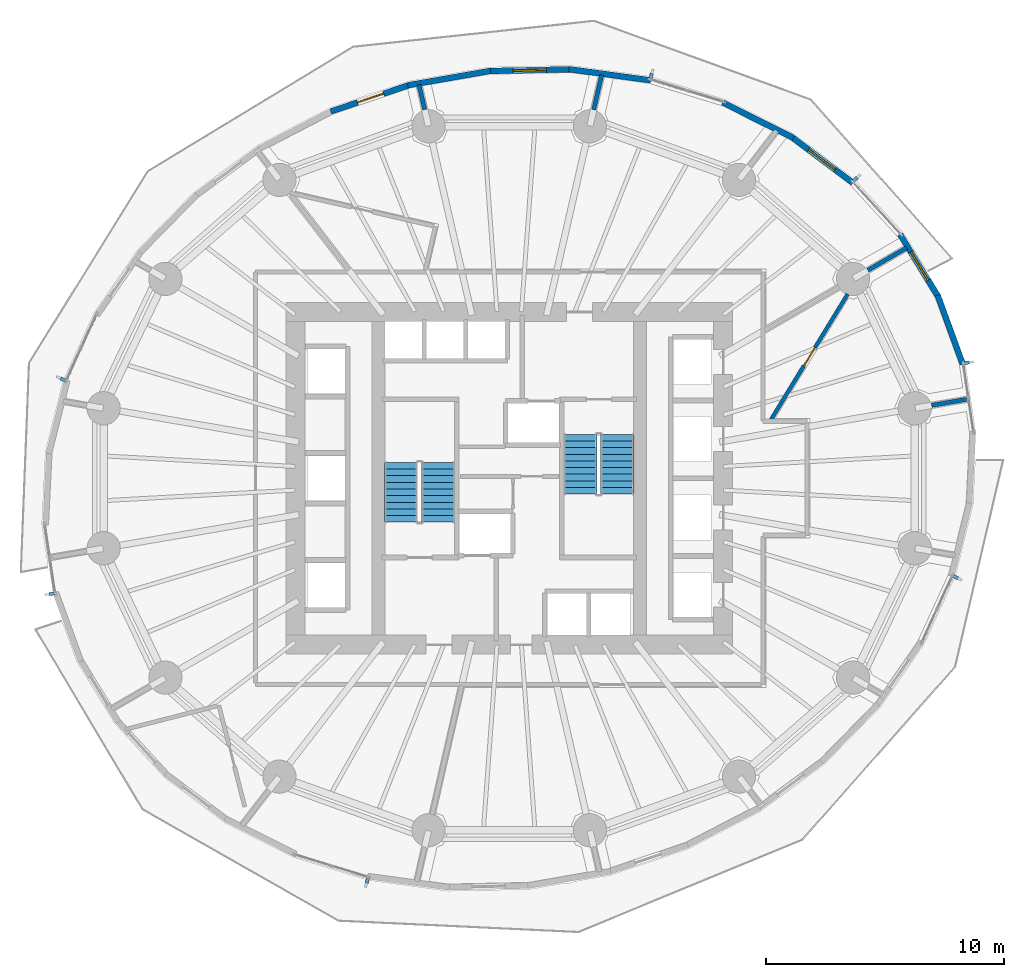
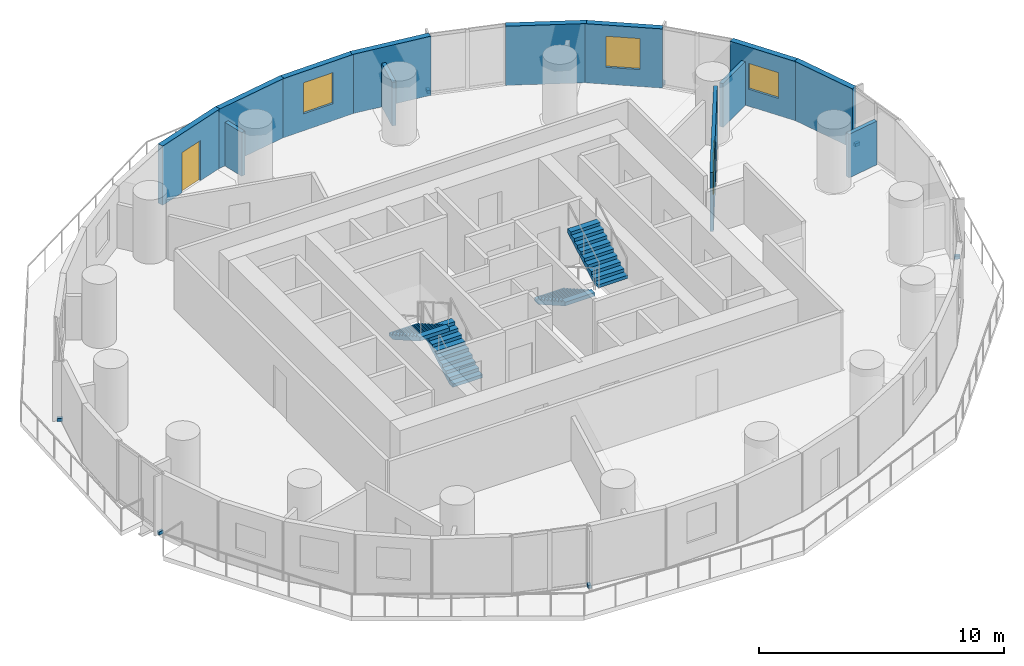
# One storey, part 9 of 13: 13 walls, 7 discrete accessories, 4 stair flights, 3 windows, 2 doors, 5 openings, 2 elements without a shape of their own.
"""IFC4 building model written with IfcOpenShell, lengths in metres."""

from ifc_helpers import new_model, si_unit, direction, frame, frame_2d, origin, origin_2d, place, context, subcontext, project, spatial, polyline, rectangle, outline, extrude, material, layer, layer_set, type_object, element, fill, aggregate, save


model = new_model("IFC4")

# Units and contexts
model_context = context("Model", 3, precision=1e-05, world=origin(), true_north=direction((0.0, 1.0)))
body_context = subcontext(model_context, "Body", "Model", "MODEL_VIEW")
ifc_project = project(units=[si_unit("LENGTHUNIT", "METRE"), si_unit("AREAUNIT", "SQUARE_METRE"), si_unit("VOLUMEUNIT", "CUBIC_METRE"), si_unit("PLANEANGLEUNIT", "RADIAN"), si_unit("MASSUNIT", "GRAM", prefix="KILO")], contexts=[model_context])

# Site, building, storey
site_placement = place(None, origin())
site = spatial("IfcSite", under=ifc_project, at=site_placement, CompositionType="ELEMENT")
building_placement = place(site_placement, origin())
building = spatial("IfcBuilding", under=site, at=building_placement, Name="Veldorim Arch Residences", CompositionType="ELEMENT")
storey_placement = place(building_placement, frame((0.0, 0.0, 60.0)))
storey = spatial("IfcBuildingStorey", under=building, at=storey_placement, Name="L17", CompositionType="ELEMENT", Elevation=60.0)

# Walls
ifc_material_1 = material(Name="Lightweight Masonry Block & Gypsum", Category="masonry")
ifc_layer_1 = layer(ifc_material_1, 0.179931640625, Name="Compartment & Corridor Fire-Rated Party Wall 180")
ifc_layer_set_1 = layer_set([ifc_layer_1], Name="Lightweight Masonry Block & Gypsum")
wall_type_1 = type_object("IfcWallType", Name="Compartment & Corridor Fire-Rated Party Wall 180", PredefinedType="PARTITIONING", material=ifc_layer_set_1)
wall_1_placement = place(storey_placement, frame((49.775146484375, 27.068359375, 0.0), z_axis=(0.0, 0.0, 1.0), x_axis=(0.985427868046, 0.170093847267, 0.0)))
element("IfcWall", 1, at=wall_1_placement, inside=storey, type_object=wall_type_1, Name="L17 interior wall WL-PIER-L17-01", PredefinedType="PARTITIONING", context=body_context, shape_type="SweptSolid", body=[
    extrude(rectangle(XDim=1.487060546875, YDim=0.179931640625, at=frame_2d((0.74365234375, 0.0))), origin(), (0.0, 0.0, 1.0), 2.17822265625),
])
wall_2_placement = place(storey_placement, frame((47.090576171875, 32.750244140625, 0.0), z_axis=(0.0, 0.0, 1.0), x_axis=(0.865028951922, 0.501721947234, 0.0)))
element("IfcWall", 2, at=wall_2_placement, inside=storey, type_object=wall_type_1, Name="L17 interior wall WL-PIER-L17-02", PredefinedType="PARTITIONING", context=body_context, shape_type="SweptSolid", body=[
    extrude(rectangle(XDim=1.894287109375, YDim=0.179931640625, at=frame_2d((0.947265625, 0.0))), origin(), (0.0, 0.0, 1.0), 2.17822265625),
])
wall_3_placement = place(storey_placement, frame((35.555419921875, 39.51171875, 0.0), z_axis=(0.0, 0.0, 1.0), x_axis=(0.223479327284, 0.974708669438, 0.0)))
element("IfcWall", 3, at=wall_3_placement, inside=storey, type_object=wall_type_1, Name="L17 interior wall WL-PIER-L17-04", PredefinedType="PARTITIONING", context=body_context, shape_type="SweptSolid", body=[
    extrude(rectangle(XDim=1.498779296875, YDim=0.179931640625, at=frame_2d((0.74951171875, 0.0))), origin(), (0.0, 0.0, 1.0), 2.17822265625),
])
wall_4_placement = place(storey_placement, frame((28.444580078125, 39.51171875, 0.0), z_axis=(0.0, 0.0, 1.0), x_axis=(-0.2234388258, 0.974717954654, 0.0)))
element("IfcWall", 4, at=wall_4_placement, inside=storey, type_object=wall_type_1, Name="L17 interior wall WL-PIER-L17-05", PredefinedType="PARTITIONING", context=body_context, shape_type="SweptSolid", body=[
    extrude(rectangle(XDim=1.07958984375, YDim=0.179931640625, at=frame_2d((0.539794921875, 0.0))), origin(), (0.0, 0.0, 1.0), 2.17822265625),
])
ifc_material_2 = material(Name="Precast concrete C40/50", Category="concrete")
ifc_layer_2 = layer(ifc_material_2, 0.25, Name="Tower Terracotta Spandrel & Pier Wall 250")
ifc_layer_set_2 = layer_set([ifc_layer_2], Name="Precast concrete C40/50")
wall_type_2 = type_object("IfcWallType", Name="Tower Terracotta Spandrel & Pier Wall 250", PredefinedType="SOLIDWALL", material=ifc_layer_set_2)
wall_5_placement = place(storey_placement, frame((50.027099609375, 31.70361328125, 0.0), z_axis=(0.0, 0.0, 1.0), x_axis=(0.342541792275, -0.939502592091, 0.0)))
element("IfcWall", 5, at=wall_5_placement, inside=storey, type_object=wall_type_2, Name="L17 terracotta facade wall 01", PredefinedType="SOLIDWALL", context=body_context, shape_type="SweptSolid", body=[
    extrude(rectangle(XDim=3.091796875, YDim=0.25, at=frame_2d((1.5458984375, 0.0))), origin(), (0.0, 0.0, 1.0), 2.9599609375),
])

# Wall, opening, window
wall_6_placement = place(storey_placement, frame((48.449951171875, 34.263427734375, 0.0), z_axis=(0.0, 0.0, 1.0), x_axis=(0.521370891217, -0.853330178648, 0.0)))
wall_6 = element("IfcWall", 6, at=wall_6_placement, inside=storey, type_object=wall_type_2, Name="L17 terracotta facade wall 02", PredefinedType="SOLIDWALL", context=body_context, shape_type="SweptSolid", body=[
    extrude(rectangle(XDim=3.12060546875, YDim=0.25, at=frame_2d((1.560302734375, 0.0))), origin(), (0.0, 0.0, 1.0), 2.9599609375),
])
opening_1_placement = place(wall_6_placement, frame((0.860107421875, 0.0, 0.85009765625)))
opening_1 = element("IfcOpeningElement", 7, at=opening_1_placement, cuts=wall_6, Name="Opening WN-02", PredefinedType="OPENING", context=body_context, shape_type="SweptSolid", body=[
    extrude(rectangle(XDim=1.39990234375, YDim=1.2900390625, at=frame_2d((0.699951171875, 0.64501953125))), frame((0.0, 0.135009765625, 0.0), z_axis=(0.0, -1.0, 0.0), x_axis=(1.0, 0.0, 0.0)), (0.0, 0.0, 1.0), 0.27001953125),
])
ifc_material_3 = material(Name="Laminated Low-E Glass", Category="glass")
window_type = type_object("IfcWindowType", Name="Residential Casement Window 1400x1550", PartitioningType="SINGLE_PANEL", PredefinedType="WINDOW", material=ifc_material_3)
window_1_placement = place(opening_1_placement, origin())
window_1 = element("IfcWindow", 8, at=window_1_placement, inside=storey, type_object=window_type, Name="L17 solar-control facade window 02", OverallHeight=1.2900390625, OverallWidth=1.39990234375, PartitioningType="SINGLE_PANEL", PredefinedType="WINDOW", context=body_context, shape_type="SweptSolid", body=[
    extrude(rectangle(XDim=1.39990234375, YDim=1.2900390625, at=frame_2d((0.699951171875, 0.64501953125))), frame((0.0, 0.030029296875, 0.0), z_axis=(0.0, -1.0, 0.0), x_axis=(1.0, 0.0, 0.0)), (0.0, 0.0, 1.0), 0.06005859375),
])
fill(opening_1, window_1)

wall_7_placement = place(storey_placement, frame((43.861083984375, 38.382568359375, 0.0), z_axis=(0.0, 0.0, 1.0), x_axis=(0.800198613696, -0.599735090385, 0.0)))
wall_7 = element("IfcWall", 9, at=wall_7_placement, inside=storey, type_object=wall_type_2, Name="L17 terracotta facade wall 04", PredefinedType="SOLIDWALL", context=body_context, shape_type="SweptSolid", body=[
    extrude(rectangle(XDim=3.244384765625, YDim=0.25, at=frame_2d((1.6220703125, 0.0))), origin(), (0.0, 0.0, 1.0), 2.9599609375),
])
opening_2_placement = place(wall_7_placement, frame((0.922119140625, 0.0, 0.85009765625)))
opening_2 = element("IfcOpeningElement", 10, at=opening_2_placement, cuts=wall_7, Name="Opening WN-02", PredefinedType="OPENING", context=body_context, shape_type="SweptSolid", body=[
    extrude(rectangle(XDim=1.39990234375, YDim=1.550048828125, at=frame_2d((0.699951171875, 0.77490234375))), frame((0.0, 0.135009765625, 0.0), z_axis=(0.0, -1.0, 0.0), x_axis=(1.0, 0.0, 0.0)), (0.0, 0.0, 1.0), 0.27001953125),
])
window_2_placement = place(opening_2_placement, origin())
window_2 = element("IfcWindow", 11, at=window_2_placement, inside=storey, type_object=window_type, Name="L17 solar-control facade window 04", OverallHeight=1.550048828125, OverallWidth=1.39990234375, PartitioningType="SINGLE_PANEL", PredefinedType="WINDOW", context=body_context, shape_type="SweptSolid", body=[
    extrude(rectangle(XDim=1.39990234375, YDim=1.550048828125, at=frame_2d((0.699951171875, 0.77490234375))), frame((0.0, 0.030029296875, 0.0), z_axis=(0.0, -1.0, 0.0), x_axis=(1.0, 0.0, 0.0)), (0.0, 0.0, 1.0), 0.06005859375),
])
fill(opening_2, window_2)

# Walls
wall_8_placement = place(storey_placement, frame((40.987548828125, 39.81689453125, 0.0), z_axis=(0.0, 0.0, 1.0), x_axis=(0.893351919744, -0.449357705498, 0.0)))
element("IfcWall", 12, at=wall_8_placement, inside=storey, type_object=wall_type_2, Name="L17 terracotta facade wall 05", PredefinedType="SOLIDWALL", context=body_context, shape_type="SweptSolid", body=[
    extrude(rectangle(XDim=3.322998046875, YDim=0.25, at=frame_2d((1.66162109375, 0.0))), origin(), (0.0, 0.0, 1.0), 2.9599609375),
])
wall_9_placement = place(storey_placement, frame((34.514404296875, 41.2158203125, 0.0), z_axis=(0.0, 0.0, 1.0), x_axis=(0.99081644242, -0.13521382115, 0.0)))
element("IfcWall", 13, at=wall_9_placement, inside=storey, type_object=wall_type_2, Name="L17 terracotta facade wall 07", PredefinedType="SOLIDWALL", context=body_context, shape_type="SweptSolid", body=[
    extrude(rectangle(XDim=3.46484375, YDim=0.25, at=frame_2d((1.732421875, 0.0))), origin(), (0.0, 0.0, 1.0), 2.9599609375),
])

# Wall, opening, window
wall_10_placement = place(storey_placement, frame((31.111572265625, 41.137451171875, 0.0), z_axis=(0.0, 0.0, 1.0), x_axis=(0.999788360949, 0.020572635025, 0.0)))
wall_10 = element("IfcWall", 14, at=wall_10_placement, inside=storey, type_object=wall_type_2, Name="L17 terracotta facade wall 08", PredefinedType="SOLIDWALL", context=body_context, shape_type="SweptSolid", body=[
    extrude(rectangle(XDim=3.5126953125, YDim=0.25, at=frame_2d((1.75634765625, 0.0))), origin(), (0.0, 0.0, 1.0), 2.9599609375),
])
opening_3_placement = place(wall_10_placement, frame((1.055908203125, 0.0, 0.85009765625)))
opening_3 = element("IfcOpeningElement", 15, at=opening_3_placement, cuts=wall_10, Name="Opening WN-02", PredefinedType="OPENING", context=body_context, shape_type="SweptSolid", body=[
    extrude(rectangle(XDim=1.39990234375, YDim=1.550048828125, at=frame_2d((0.699951171875, 0.77490234375))), frame((0.0, 0.135009765625, 0.0), z_axis=(0.0, -1.0, 0.0), x_axis=(1.0, 0.0, 0.0)), (0.0, 0.0, 1.0), 0.27001953125),
])
window_3_placement = place(opening_3_placement, origin())
window_3 = element("IfcWindow", 16, at=window_3_placement, inside=storey, type_object=window_type, Name="L17 solar-control facade window 08", OverallHeight=1.550048828125, OverallWidth=1.39990234375, PartitioningType="SINGLE_PANEL", PredefinedType="WINDOW", context=body_context, shape_type="SweptSolid", body=[
    extrude(rectangle(XDim=1.39990234375, YDim=1.550048828125, at=frame_2d((0.699951171875, 0.77490234375))), frame((0.0, 0.030029296875, 0.0), z_axis=(0.0, -1.0, 0.0), x_axis=(1.0, 0.0, 0.0)), (0.0, 0.0, 1.0), 0.06005859375),
])
fill(opening_3, window_3)

# Wall
wall_11_placement = place(storey_placement, frame((27.734619140625, 40.53759765625, 0.0), z_axis=(0.0, 0.0, 1.0), x_axis=(0.98500849055, 0.172505865245, 0.0)))
element("IfcWall", 17, at=wall_11_placement, inside=storey, type_object=wall_type_2, Name="L17 terracotta facade wall 09", PredefinedType="SOLIDWALL", context=body_context, shape_type="SweptSolid", body=[
    extrude(rectangle(XDim=3.5380859375, YDim=0.25, at=frame_2d((1.76904296875, 0.0))), origin(), (0.0, 0.0, 1.0), 2.9599609375),
])

# Wall, opening, door
wall_12_placement = place(storey_placement, frame((24.4873046875, 39.434326171875, 0.0), z_axis=(0.0, 0.0, 1.0), x_axis=(0.947615298774, 0.319413909417, 0.0)))
wall_12 = element("IfcWall", 18, at=wall_12_placement, inside=storey, type_object=wall_type_2, Name="L17 terracotta facade wall 10", PredefinedType="SOLIDWALL", context=body_context, shape_type="SweptSolid", body=[
    extrude(rectangle(XDim=3.5380859375, YDim=0.25, at=frame_2d((1.76904296875, 0.0))), origin(), (0.0, 0.0, 1.0), 2.9599609375),
])
opening_4_placement = place(wall_12_placement, frame((1.194091796875, 0.0, 0.0)))
opening_4 = element("IfcOpeningElement", 19, at=opening_4_placement, cuts=wall_12, Name="Opening BL-DR2", PredefinedType="OPENING", context=body_context, shape_type="SweptSolid", body=[
    extrude(rectangle(XDim=1.14990234375, YDim=2.010009765625, at=frame_2d((0.574951171875, 1.0048828125))), frame((0.0, 0.135009765625, 0.0), z_axis=(0.0, -1.0, 0.0), x_axis=(1.0, 0.0, 0.0)), (0.0, 0.0, 1.0), 0.27001953125),
])
ifc_material_4 = material(Name="Aluminium & Low-E Glass", Category="aluminium")
door_type_1 = type_object("IfcDoorType", Name="Glazed Planted Balcony Low-Soffit Door 1150x2010", OperationType="SINGLE_SWING_LEFT", PredefinedType="DOOR", material=ifc_material_4)
door_1_placement = place(opening_4_placement, origin())
door_1 = element("IfcDoor", 20, at=door_1_placement, inside=storey, type_object=door_type_1, Name="L17 glazed outdoor terrace door BALC-1", OperationType="SINGLE_SWING_RIGHT", OverallHeight=2.010009765625, OverallWidth=1.14990234375, PredefinedType="DOOR", context=body_context, shape_type="SweptSolid", body=[
    extrude(rectangle(XDim=1.14990234375, YDim=2.010009765625, at=frame_2d((0.574951171875, 1.0048828125))), frame((0.0, 0.02490234375, 0.0), z_axis=(0.0, -1.0, 0.0), x_axis=(1.0, 0.0, 0.0)), (0.0, 0.0, 1.0), 0.050048828125),
])
fill(opening_4, door_1)

ifc_material_5 = material(Name="Moisture-Resistant Gypsum & Stud", Category="gypsum")
ifc_layer_3 = layer(ifc_material_5, 0.159912109375, Name="Wet-Area Moisture-Resistant Plumbing Wall 160")
ifc_layer_set_3 = layer_set([ifc_layer_3], Name="Moisture-Resistant Gypsum & Stud")
wall_type_3 = type_object("IfcWallType", Name="Wet-Area Moisture-Resistant Plumbing Wall 160", PredefinedType="PLUMBINGWALL", material=ifc_layer_set_3)
wall_13_placement = place(storey_placement, frame((43.02587890625, 26.4853515625, 0.0), z_axis=(0.0, 0.0, 1.0), x_axis=(0.521413206751, 0.853304323103, 0.0)))
wall_13 = element("IfcWall", 21, at=wall_13_placement, inside=storey, type_object=wall_type_3, Name="L17 interior wall WL-RES-L17-009", PredefinedType="PLUMBINGWALL", context=body_context, shape_type="SweptSolid", body=[
    extrude(rectangle(XDim=6.171630859375, YDim=0.159912109375, at=frame_2d((3.0859375, 0.0))), origin(), (0.0, 0.0, 1.0), 2.955078125),
])
opening_5_placement = place(wall_13_placement, frame((2.635986328125, 0.0, 0.0)))
opening_5 = element("IfcOpeningElement", 22, at=opening_5_placement, cuts=wall_13, Name="Opening DR-WC", PredefinedType="OPENING", context=body_context, shape_type="SweptSolid", body=[
    extrude(rectangle(XDim=0.89990234375, YDim=2.10009765625, at=frame_2d((0.449951171875, 1.050048828125))), frame((0.0, 0.08984375, 0.0), z_axis=(0.0, -1.0, 0.0), x_axis=(1.0, 0.0, 0.0)), (0.0, 0.0, 1.0), 0.179931640625),
])
ifc_material_6 = material(Name="Laminate Timber", Category="wood")
door_type_2 = type_object("IfcDoorType", Name="Bathroom & Accessible WC Moisture-Sealed Door 900x2100", OperationType="SINGLE_SWING_LEFT", PredefinedType="DOOR", material=ifc_material_6)
door_2_placement = place(opening_5_placement, origin())
door_2 = element("IfcDoor", 23, at=door_2_placement, inside=storey, type_object=door_type_2, Name="L17 interior door DR-RES-L17-002", OperationType="SINGLE_SWING_RIGHT", OverallHeight=2.10009765625, OverallWidth=0.89990234375, PredefinedType="DOOR", context=body_context, shape_type="SweptSolid", body=[
    extrude(rectangle(XDim=0.89990234375, YDim=2.10009765625, at=frame_2d((0.449951171875, 1.050048828125))), frame((0.0, 0.02490234375, 0.0), z_axis=(0.0, -1.0, 0.0), x_axis=(1.0, 0.0, 0.0)), (0.0, 0.0, 1.0), 0.050048828125),
])
fill(opening_5, door_2)

# Stair, stair flights
ifc_material_7 = material(Name="Concrete C40/50", Category="concrete")
stair_type = type_object("IfcStairType", Name="Reinforced Concrete Dogleg Exit Staircase", PredefinedType="HALF_TURN_STAIR", material=ifc_material_7)
stair_1_placement = place(storey_placement, origin())
stair_1 = element("IfcStair", 24, at=stair_1_placement, inside=storey, type_object=stair_type, Name="L17 Exit Staircase ST-1", PredefinedType="HALF_TURN_STAIR")
ifc_material_8 = material(Name="Concrete C40/50", Category="concrete")
stair_flight_type = type_object("IfcStairFlightType", Name="Reinforced Concrete Stair Flight 1400", PredefinedType="STRAIGHT", material=ifc_material_8)
stair_flight_1_placement = place(storey_placement, frame((29.010009765625, 22.14990234375, 0.0), z_axis=(0.0, 0.0, 1.0), x_axis=(0.0, 1.0, 0.0)))
stair_flight_1 = element("IfcStairFlight", 25, at=stair_flight_1_placement, type_object=stair_flight_type, Name="ST-1 flight 1", NumberOfRisers=10, NumberOfTreads=9, PredefinedType="STRAIGHT", RiserHeight=0.16, TreadLength=0.28, context=body_context, shape_type="SweptSolid", body=[
    extrude(outline(polyline([(0.0, 0.0), (0.0, 0.159912109375), (0.280029296875, 0.159912109375), (0.280029296875, 0.320068359375), (0.56005859375, 0.320068359375), (0.56005859375, 0.47998046875), (0.840087890625, 0.47998046875), (0.840087890625, 0.639892578125), (1.1201171875, 0.639892578125), (1.1201171875, 0.800048828125), (1.39990234375, 0.800048828125), (1.39990234375, 0.9599609375), (1.679931640625, 0.9599609375), (1.679931640625, 1.1201171875), (1.9599609375, 1.1201171875), (1.9599609375, 1.280029296875), (2.239990234375, 1.280029296875), (2.239990234375, 1.43994140625), (2.52001953125, 1.43994140625), (2.52001953125, 1.60009765625), (2.52001953125, 1.255859375), (0.322265625, 0.0), (0.0, 0.0)])), frame((0.0, 0.699951171875, 0.0), z_axis=(0.0, -1.0, 0.0), x_axis=(1.0, 0.0, 0.0)), (0.0, 0.0, 1.0), 1.39990234375),
])
stair_flight_2_placement = place(storey_placement, frame((27.449951171875, 24.669921875, 1.60009765625), z_axis=(0.0, 0.0, 1.0), x_axis=(0.0, -1.0, 0.0)))
stair_flight_2 = element("IfcStairFlight", 26, at=stair_flight_2_placement, type_object=stair_flight_type, Name="ST-1 flight 2", NumberOfRisers=10, NumberOfTreads=9, PredefinedType="STRAIGHT", RiserHeight=0.16, TreadLength=0.28, context=body_context, shape_type="SweptSolid", body=[
    extrude(outline(polyline([(0.0, 0.0), (0.0, 0.159912109375), (0.280029296875, 0.159912109375), (0.280029296875, 0.320068359375), (0.56005859375, 0.320068359375), (0.56005859375, 0.47998046875), (0.840087890625, 0.47998046875), (0.840087890625, 0.639892578125), (1.1201171875, 0.639892578125), (1.1201171875, 0.800048828125), (1.39990234375, 0.800048828125), (1.39990234375, 0.9599609375), (1.679931640625, 0.9599609375), (1.679931640625, 1.1201171875), (1.9599609375, 1.1201171875), (1.9599609375, 1.280029296875), (2.239990234375, 1.280029296875), (2.239990234375, 1.43994140625), (2.52001953125, 1.43994140625), (2.52001953125, 1.60009765625), (2.52001953125, 1.255859375), (0.322265625, 0.0), (0.0, 0.0)])), frame((0.0, 0.699951171875, 0.0), z_axis=(0.0, -1.0, 0.0), x_axis=(1.0, 0.0, 0.0)), (0.0, 0.0, 1.0), 1.39990234375),
])
aggregate(stair_1, [stair_flight_1, stair_flight_2])

stair_2_placement = place(storey_placement, origin())
stair_2 = element("IfcStair", 27, at=stair_2_placement, inside=storey, type_object=stair_type, Name="L17 Exit Staircase ST-2", PredefinedType="HALF_TURN_STAIR")
stair_flight_3_placement = place(storey_placement, frame((34.989990234375, 25.85009765625, 0.0), z_axis=(0.0, 0.0, 1.0), x_axis=(0.0, -1.0, 0.0)))
stair_flight_3 = element("IfcStairFlight", 28, at=stair_flight_3_placement, type_object=stair_flight_type, Name="ST-2 flight 1", NumberOfRisers=10, NumberOfTreads=9, PredefinedType="STRAIGHT", RiserHeight=0.16, TreadLength=0.28, context=body_context, shape_type="SweptSolid", body=[
    extrude(outline(polyline([(0.0, 0.0), (0.0, 0.159912109375), (0.280029296875, 0.159912109375), (0.280029296875, 0.320068359375), (0.56005859375, 0.320068359375), (0.56005859375, 0.47998046875), (0.840087890625, 0.47998046875), (0.840087890625, 0.639892578125), (1.1201171875, 0.639892578125), (1.1201171875, 0.800048828125), (1.39990234375, 0.800048828125), (1.39990234375, 0.9599609375), (1.679931640625, 0.9599609375), (1.679931640625, 1.1201171875), (1.9599609375, 1.1201171875), (1.9599609375, 1.280029296875), (2.239990234375, 1.280029296875), (2.239990234375, 1.43994140625), (2.52001953125, 1.43994140625), (2.52001953125, 1.60009765625), (2.52001953125, 1.255859375), (0.322265625, 0.0), (0.0, 0.0)])), frame((0.0, 0.699951171875, 0.0), z_axis=(0.0, -1.0, 0.0), x_axis=(1.0, 0.0, 0.0)), (0.0, 0.0, 1.0), 1.39990234375),
])
stair_flight_4_placement = place(storey_placement, frame((36.550048828125, 23.330078125, 1.60009765625), z_axis=(0.0, 0.0, 1.0), x_axis=(0.0, 1.0, 0.0)))
stair_flight_4 = element("IfcStairFlight", 29, at=stair_flight_4_placement, type_object=stair_flight_type, Name="ST-2 flight 2", NumberOfRisers=10, NumberOfTreads=9, PredefinedType="STRAIGHT", RiserHeight=0.16, TreadLength=0.28, context=body_context, shape_type="SweptSolid", body=[
    extrude(outline(polyline([(0.0, 0.0), (0.0, 0.159912109375), (0.280029296875, 0.159912109375), (0.280029296875, 0.320068359375), (0.56005859375, 0.320068359375), (0.56005859375, 0.47998046875), (0.840087890625, 0.47998046875), (0.840087890625, 0.639892578125), (1.1201171875, 0.639892578125), (1.1201171875, 0.800048828125), (1.39990234375, 0.800048828125), (1.39990234375, 0.9599609375), (1.679931640625, 0.9599609375), (1.679931640625, 1.1201171875), (1.9599609375, 1.1201171875), (1.9599609375, 1.280029296875), (2.239990234375, 1.280029296875), (2.239990234375, 1.43994140625), (2.52001953125, 1.43994140625), (2.52001953125, 1.60009765625), (2.52001953125, 1.255859375), (0.322265625, 0.0), (0.0, 0.0)])), frame((0.0, 0.699951171875, 0.0), z_axis=(0.0, -1.0, 0.0), x_axis=(1.0, 0.0, 0.0)), (0.0, 0.0, 1.0), 1.39990234375),
])
aggregate(stair_2, [stair_flight_3, stair_flight_4])

# Discrete accessories
ifc_material_9 = material(Name="Stainless Steel", Category="steel")
discrete_accessory_type = type_object("IfcDiscreteAccessoryType", Name="Stainless Steel Facade Fin Anchor Bracket", PredefinedType="BRACKET", material=ifc_material_9)
for number, where, z_axis, x_axis, name in (
    (30, (46.55322265625, 36.572021484375, -0.02001953125), (0.0, 0.0, 1.0), (0.675718876495, -0.737159412846, 0.0), "L17 stainless fin anchor bracket 03"),
    (31, (37.96484375, 40.9130859375, -0.02001953125), (0.0, 0.0, 1.0), (0.956151539415, -0.292872384621, 0.0), "L17 stainless fin anchor bracket 06"),
    (32, (13.2314453125, 28.154052734375, -0.02001953125), (0.0, 0.0, 1.0), (0.416122094283, 0.909308749903, 0.0), "L17 stainless fin anchor bracket 15"),
    (33, (12.760009765625, 19.14111328125, -0.02001953125), (0.0, 0.0, 1.0), (-0.14832723834, 0.988938334967, 0.0), "L17 stainless fin anchor bracket 18"),
    (34, (26.03515625, 7.0869140625, -0.02001953125), (0.0, 0.0, 1.0), (-0.956151539415, 0.292872384621, 0.0), "L17 stainless fin anchor bracket 24"),
    (35, (50.7685546875, 19.845947265625, -0.02001953125), (0.0, 0.0, 1.0), (-0.416122094283, -0.909308749903, 0.0), "L17 stainless fin anchor bracket 33"),
    (36, (51.239990234375, 28.85888671875, -0.02001953125), (0.0, 0.0, 1.0), (0.14832723834, -0.988938334967, 0.0), "L17 stainless fin anchor bracket 36"),
):
    element("IfcDiscreteAccessory", number, at=place(storey_placement, frame(where, z_axis=z_axis, x_axis=x_axis)), inside=storey, type_object=discrete_accessory_type, Name=name, PredefinedType="BRACKET", context=body_context, shape_type="SweptSolid", body=[
        extrude(rectangle(XDim=0.139892578125, YDim=0.239990234375, at=origin_2d()), origin(), (0.0, 0.0, 1.0), 0.159912109375),
    ])

save(model, "model.ifc")
